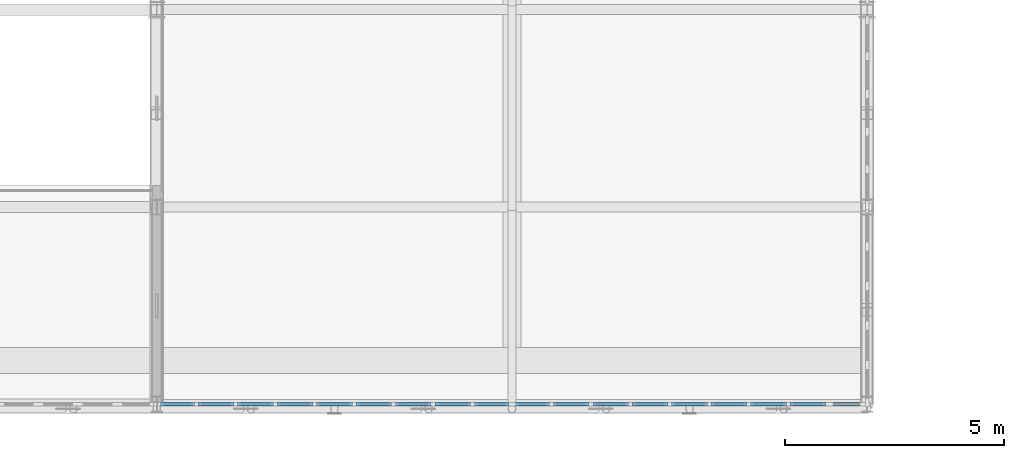
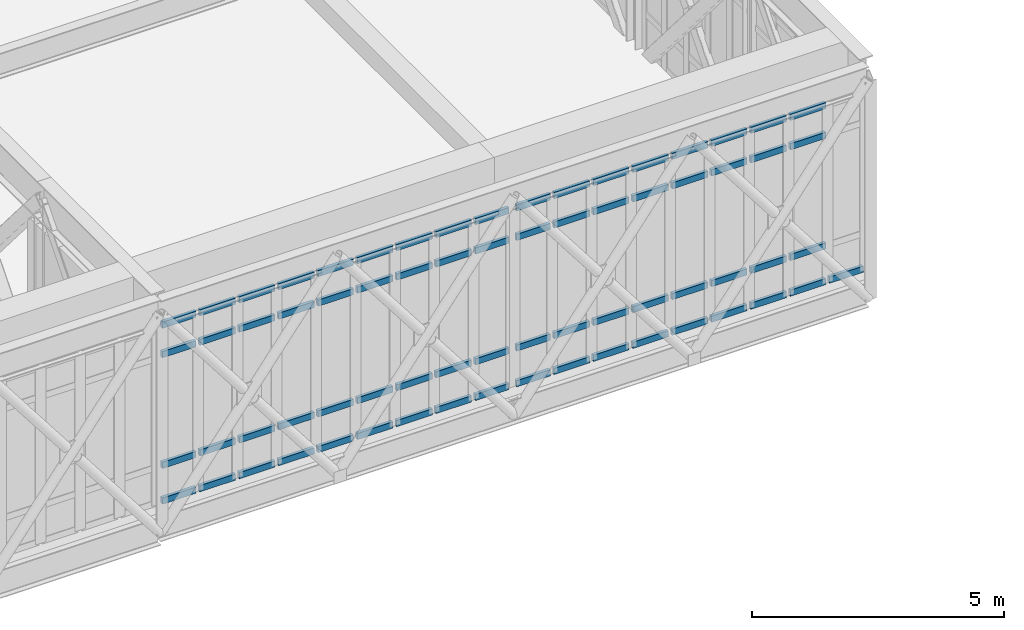
# One storey, part 32 of 70: 69 members, 2 elements without a shape of their own.
"""IFC4 building model written with IfcOpenShell, lengths in metres."""

from ifc_helpers import new_model, si_unit, direction, frame, origin, origin_2d, place, context, subcontext, project, spatial, rectangle, extrude, material, material_profile, profile_set, type_object, element, aggregate, save


model = new_model("IFC4")

# Units and contexts
model_context = context("Model", 3, precision=1e-05, world=origin(), true_north=direction((0.0, 1.0)))
body_context = subcontext(model_context, "Body", "Model", "MODEL_VIEW")
ifc_project = project(units=[si_unit("LENGTHUNIT", "METRE"), si_unit("AREAUNIT", "SQUARE_METRE"), si_unit("VOLUMEUNIT", "CUBIC_METRE"), si_unit("PLANEANGLEUNIT", "RADIAN"), si_unit("MASSUNIT", "GRAM", prefix="KILO")], contexts=[model_context])

# Site, building, storey
site_placement = place(None, origin())
site = spatial("IfcSite", under=ifc_project, at=site_placement, CompositionType="ELEMENT")
building_placement = place(site_placement, origin())
building = spatial("IfcBuilding", under=site, at=building_placement, Name="Tarnveldt Square Police Headquarters", CompositionType="ELEMENT")
storey_placement = place(building_placement, frame((0.0, 0.0, 19.800048828125)))
storey = spatial("IfcBuildingStorey", under=building, at=storey_placement, Name="L04", CompositionType="ELEMENT", Elevation=19.800048828125)

# Curtain wall, members
ifc_material_1 = material(Name="UL 752 Level III laminated ballistic vision glass", Category="glass")
curtain_wall_type = type_object("IfcCurtainWallType", Name="CW-BL-810x433", PredefinedType="USERDEFINED", material=ifc_material_1)
curtain_wall_1_placement = place(storey_placement, origin())
curtain_wall_1 = element("IfcCurtainWall", 1, at=curtain_wall_1_placement, inside=storey, type_object=curtain_wall_type, Name="L04 Curtain Wall CW-L04-045", ObjectType="BALLISTIC CURTAIN WALL", PredefinedType="USERDEFINED")
ifc_material_2 = material(Name="Thermally broken anodised aluminium 6063-T6", Category="aluminium")
ifc_material_profile = material_profile(ifc_material_2, rectangle(XDim=0.074951171875, YDim=0.14990234375, at=origin_2d()), Name="CW-T75x150")
ifc_profile_set = profile_set([ifc_material_profile], Name="Thermally broken anodised aluminium 6063-T6")
member_type = type_object("IfcMemberType", Name="CWT-75x150", PredefinedType="USERDEFINED", material=ifc_profile_set)
member_1_placement = place(storey_placement, frame((48.68505859375, 7.0, 0.037353515625), z_axis=(1.0, 0.0, 0.0), x_axis=(0.0, 1.0, 0.0)))
member_1 = element("IfcMember", 2, at=member_1_placement, type_object=member_type, Name="CW-BL17 transom 1.1", ObjectType="TRANSOM", PredefinedType="USERDEFINED", context=body_context, shape_type="SweptSolid", body=[
    extrude(rectangle(XDim=0.074951171875, YDim=0.14990234375, at=origin_2d()), origin(), (0.0, 0.0, 1.0), 0.7724609375),
])
member_2_placement = place(storey_placement, frame((48.68505859375, 7.0, 0.89990234375), z_axis=(1.0, 0.0, 0.0), x_axis=(0.0, 1.0, 0.0)))
member_2 = element("IfcMember", 3, at=member_2_placement, type_object=member_type, Name="CW-BL17 transom 1.2", ObjectType="TRANSOM", PredefinedType="USERDEFINED", context=body_context, shape_type="SweptSolid", body=[
    extrude(rectangle(XDim=0.074951171875, YDim=0.14990234375, at=origin_2d()), origin(), (0.0, 0.0, 1.0), 0.7724609375),
])
member_3_placement = place(storey_placement, frame((48.68505859375, 7.0, 3.576416015625), z_axis=(1.0, 0.0, 0.0), x_axis=(0.0, 1.0, 0.0)))
member_3 = element("IfcMember", 4, at=member_3_placement, type_object=member_type, Name="CW-BL17 transom 1.3", ObjectType="TRANSOM", PredefinedType="USERDEFINED", context=body_context, shape_type="SweptSolid", body=[
    extrude(rectangle(XDim=0.074951171875, YDim=0.14990234375, at=origin_2d()), origin(), (0.0, 0.0, 1.0), 0.7724609375),
])
member_4_placement = place(storey_placement, frame((48.68505859375, 7.0, 4.2890625), z_axis=(1.0, 0.0, 0.0), x_axis=(0.0, 1.0, 0.0)))
member_4 = element("IfcMember", 5, at=member_4_placement, type_object=member_type, Name="CW-BL17 transom 1.4", ObjectType="TRANSOM", PredefinedType="USERDEFINED", context=body_context, shape_type="SweptSolid", body=[
    extrude(rectangle(XDim=0.074951171875, YDim=0.14990234375, at=origin_2d()), origin(), (0.0, 0.0, 1.0), 0.7724609375),
])
member_5_placement = place(storey_placement, frame((49.54248046875, 7.0, 0.037353515625), z_axis=(1.0, 0.0, 0.0), x_axis=(0.0, 1.0, 0.0)))
member_5 = element("IfcMember", 6, at=member_5_placement, type_object=member_type, Name="CW-BL17 transom 2.1", ObjectType="TRANSOM", PredefinedType="USERDEFINED", context=body_context, shape_type="SweptSolid", body=[
    extrude(rectangle(XDim=0.074951171875, YDim=0.14990234375, at=origin_2d()), origin(), (0.0, 0.0, 1.0), 0.81494140625),
])
member_6_placement = place(storey_placement, frame((49.54248046875, 7.0, 0.89990234375), z_axis=(1.0, 0.0, 0.0), x_axis=(0.0, 1.0, 0.0)))
member_6 = element("IfcMember", 7, at=member_6_placement, type_object=member_type, Name="CW-BL17 transom 2.2", ObjectType="TRANSOM", PredefinedType="USERDEFINED", context=body_context, shape_type="SweptSolid", body=[
    extrude(rectangle(XDim=0.074951171875, YDim=0.14990234375, at=origin_2d()), origin(), (0.0, 0.0, 1.0), 0.81494140625),
])
member_7_placement = place(storey_placement, frame((49.54248046875, 7.0, 3.576416015625), z_axis=(1.0, 0.0, 0.0), x_axis=(0.0, 1.0, 0.0)))
member_7 = element("IfcMember", 8, at=member_7_placement, type_object=member_type, Name="CW-BL17 transom 2.3", ObjectType="TRANSOM", PredefinedType="USERDEFINED", context=body_context, shape_type="SweptSolid", body=[
    extrude(rectangle(XDim=0.074951171875, YDim=0.14990234375, at=origin_2d()), origin(), (0.0, 0.0, 1.0), 0.81494140625),
])
member_8_placement = place(storey_placement, frame((49.54248046875, 7.0, 4.2890625), z_axis=(1.0, 0.0, 0.0), x_axis=(0.0, 1.0, 0.0)))
member_8 = element("IfcMember", 9, at=member_8_placement, type_object=member_type, Name="CW-BL17 transom 2.4", ObjectType="TRANSOM", PredefinedType="USERDEFINED", context=body_context, shape_type="SweptSolid", body=[
    extrude(rectangle(XDim=0.074951171875, YDim=0.14990234375, at=origin_2d()), origin(), (0.0, 0.0, 1.0), 0.81494140625),
])
member_9_placement = place(storey_placement, frame((50.4423828125, 7.0, 0.037353515625), z_axis=(1.0, 0.0, 0.0), x_axis=(0.0, 1.0, 0.0)))
member_9 = element("IfcMember", 10, at=member_9_placement, type_object=member_type, Name="CW-BL17 transom 3.1", ObjectType="TRANSOM", PredefinedType="USERDEFINED", context=body_context, shape_type="SweptSolid", body=[
    extrude(rectangle(XDim=0.074951171875, YDim=0.14990234375, at=origin_2d()), origin(), (0.0, 0.0, 1.0), 0.815185546875),
])
member_10_placement = place(storey_placement, frame((50.4423828125, 7.0, 0.89990234375), z_axis=(1.0, 0.0, 0.0), x_axis=(0.0, 1.0, 0.0)))
member_10 = element("IfcMember", 11, at=member_10_placement, type_object=member_type, Name="CW-BL17 transom 3.2", ObjectType="TRANSOM", PredefinedType="USERDEFINED", context=body_context, shape_type="SweptSolid", body=[
    extrude(rectangle(XDim=0.074951171875, YDim=0.14990234375, at=origin_2d()), origin(), (0.0, 0.0, 1.0), 0.815185546875),
])
member_11_placement = place(storey_placement, frame((50.4423828125, 7.0, 3.576416015625), z_axis=(1.0, 0.0, 0.0), x_axis=(0.0, 1.0, 0.0)))
member_11 = element("IfcMember", 12, at=member_11_placement, type_object=member_type, Name="CW-BL17 transom 3.3", ObjectType="TRANSOM", PredefinedType="USERDEFINED", context=body_context, shape_type="SweptSolid", body=[
    extrude(rectangle(XDim=0.074951171875, YDim=0.14990234375, at=origin_2d()), origin(), (0.0, 0.0, 1.0), 0.815185546875),
])
member_12_placement = place(storey_placement, frame((50.4423828125, 7.0, 4.2890625), z_axis=(1.0, 0.0, 0.0), x_axis=(0.0, 1.0, 0.0)))
member_12 = element("IfcMember", 13, at=member_12_placement, type_object=member_type, Name="CW-BL17 transom 3.4", ObjectType="TRANSOM", PredefinedType="USERDEFINED", context=body_context, shape_type="SweptSolid", body=[
    extrude(rectangle(XDim=0.074951171875, YDim=0.14990234375, at=origin_2d()), origin(), (0.0, 0.0, 1.0), 0.815185546875),
])
member_13_placement = place(storey_placement, frame((51.342529296875, 7.0, 0.037353515625), z_axis=(1.0, 0.0, 0.0), x_axis=(0.0, 1.0, 0.0)))
member_13 = element("IfcMember", 14, at=member_13_placement, type_object=member_type, Name="CW-BL17 transom 4.1", ObjectType="TRANSOM", PredefinedType="USERDEFINED", context=body_context, shape_type="SweptSolid", body=[
    extrude(rectangle(XDim=0.074951171875, YDim=0.14990234375, at=origin_2d()), origin(), (0.0, 0.0, 1.0), 0.81494140625),
])
member_14_placement = place(storey_placement, frame((51.342529296875, 7.0, 0.89990234375), z_axis=(1.0, 0.0, 0.0), x_axis=(0.0, 1.0, 0.0)))
member_14 = element("IfcMember", 15, at=member_14_placement, type_object=member_type, Name="CW-BL17 transom 4.2", ObjectType="TRANSOM", PredefinedType="USERDEFINED", context=body_context, shape_type="SweptSolid", body=[
    extrude(rectangle(XDim=0.074951171875, YDim=0.14990234375, at=origin_2d()), origin(), (0.0, 0.0, 1.0), 0.81494140625),
])
member_15_placement = place(storey_placement, frame((51.342529296875, 7.0, 3.576416015625), z_axis=(1.0, 0.0, 0.0), x_axis=(0.0, 1.0, 0.0)))
member_15 = element("IfcMember", 16, at=member_15_placement, type_object=member_type, Name="CW-BL17 transom 4.3", ObjectType="TRANSOM", PredefinedType="USERDEFINED", context=body_context, shape_type="SweptSolid", body=[
    extrude(rectangle(XDim=0.074951171875, YDim=0.14990234375, at=origin_2d()), origin(), (0.0, 0.0, 1.0), 0.81494140625),
])
member_16_placement = place(storey_placement, frame((51.342529296875, 7.0, 4.2890625), z_axis=(1.0, 0.0, 0.0), x_axis=(0.0, 1.0, 0.0)))
member_16 = element("IfcMember", 17, at=member_16_placement, type_object=member_type, Name="CW-BL17 transom 4.4", ObjectType="TRANSOM", PredefinedType="USERDEFINED", context=body_context, shape_type="SweptSolid", body=[
    extrude(rectangle(XDim=0.074951171875, YDim=0.14990234375, at=origin_2d()), origin(), (0.0, 0.0, 1.0), 0.81494140625),
])
member_17_placement = place(storey_placement, frame((52.242431640625, 7.0, 0.037353515625), z_axis=(1.0, 0.0, 0.0), x_axis=(0.0, 1.0, 0.0)))
member_17 = element("IfcMember", 18, at=member_17_placement, type_object=member_type, Name="CW-BL17 transom 5.1", ObjectType="TRANSOM", PredefinedType="USERDEFINED", context=body_context, shape_type="SweptSolid", body=[
    extrude(rectangle(XDim=0.074951171875, YDim=0.14990234375, at=origin_2d()), origin(), (0.0, 0.0, 1.0), 0.815185546875),
])
member_18_placement = place(storey_placement, frame((52.242431640625, 7.0, 0.89990234375), z_axis=(1.0, 0.0, 0.0), x_axis=(0.0, 1.0, 0.0)))
member_18 = element("IfcMember", 19, at=member_18_placement, type_object=member_type, Name="CW-BL17 transom 5.2", ObjectType="TRANSOM", PredefinedType="USERDEFINED", context=body_context, shape_type="SweptSolid", body=[
    extrude(rectangle(XDim=0.074951171875, YDim=0.14990234375, at=origin_2d()), origin(), (0.0, 0.0, 1.0), 0.815185546875),
])
member_19_placement = place(storey_placement, frame((52.242431640625, 7.0, 3.576416015625), z_axis=(1.0, 0.0, 0.0), x_axis=(0.0, 1.0, 0.0)))
member_19 = element("IfcMember", 20, at=member_19_placement, type_object=member_type, Name="CW-BL17 transom 5.3", ObjectType="TRANSOM", PredefinedType="USERDEFINED", context=body_context, shape_type="SweptSolid", body=[
    extrude(rectangle(XDim=0.074951171875, YDim=0.14990234375, at=origin_2d()), origin(), (0.0, 0.0, 1.0), 0.815185546875),
])
member_20_placement = place(storey_placement, frame((52.242431640625, 7.0, 4.2890625), z_axis=(1.0, 0.0, 0.0), x_axis=(0.0, 1.0, 0.0)))
member_20 = element("IfcMember", 21, at=member_20_placement, type_object=member_type, Name="CW-BL17 transom 5.4", ObjectType="TRANSOM", PredefinedType="USERDEFINED", context=body_context, shape_type="SweptSolid", body=[
    extrude(rectangle(XDim=0.074951171875, YDim=0.14990234375, at=origin_2d()), origin(), (0.0, 0.0, 1.0), 0.815185546875),
])
member_21_placement = place(storey_placement, frame((53.142578125, 7.0, 0.037353515625), z_axis=(1.0, 0.0, 0.0), x_axis=(0.0, 1.0, 0.0)))
member_21 = element("IfcMember", 22, at=member_21_placement, type_object=member_type, Name="CW-BL17 transom 6.1", ObjectType="TRANSOM", PredefinedType="USERDEFINED", context=body_context, shape_type="SweptSolid", body=[
    extrude(rectangle(XDim=0.074951171875, YDim=0.14990234375, at=origin_2d()), origin(), (0.0, 0.0, 1.0), 0.81494140625),
])
member_22_placement = place(storey_placement, frame((53.142578125, 7.0, 0.89990234375), z_axis=(1.0, 0.0, 0.0), x_axis=(0.0, 1.0, 0.0)))
member_22 = element("IfcMember", 23, at=member_22_placement, type_object=member_type, Name="CW-BL17 transom 6.2", ObjectType="TRANSOM", PredefinedType="USERDEFINED", context=body_context, shape_type="SweptSolid", body=[
    extrude(rectangle(XDim=0.074951171875, YDim=0.14990234375, at=origin_2d()), origin(), (0.0, 0.0, 1.0), 0.81494140625),
])
member_23_placement = place(storey_placement, frame((53.142578125, 7.0, 3.576416015625), z_axis=(1.0, 0.0, 0.0), x_axis=(0.0, 1.0, 0.0)))
member_23 = element("IfcMember", 24, at=member_23_placement, type_object=member_type, Name="CW-BL17 transom 6.3", ObjectType="TRANSOM", PredefinedType="USERDEFINED", context=body_context, shape_type="SweptSolid", body=[
    extrude(rectangle(XDim=0.074951171875, YDim=0.14990234375, at=origin_2d()), origin(), (0.0, 0.0, 1.0), 0.81494140625),
])
member_24_placement = place(storey_placement, frame((53.142578125, 7.0, 4.2890625), z_axis=(1.0, 0.0, 0.0), x_axis=(0.0, 1.0, 0.0)))
member_24 = element("IfcMember", 25, at=member_24_placement, type_object=member_type, Name="CW-BL17 transom 6.4", ObjectType="TRANSOM", PredefinedType="USERDEFINED", context=body_context, shape_type="SweptSolid", body=[
    extrude(rectangle(XDim=0.074951171875, YDim=0.14990234375, at=origin_2d()), origin(), (0.0, 0.0, 1.0), 0.81494140625),
])
member_25_placement = place(storey_placement, frame((54.04248046875, 7.0, 0.037353515625), z_axis=(1.0, 0.0, 0.0), x_axis=(0.0, 1.0, 0.0)))
member_25 = element("IfcMember", 26, at=member_25_placement, type_object=member_type, Name="CW-BL17 transom 7.1", ObjectType="TRANSOM", PredefinedType="USERDEFINED", context=body_context, shape_type="SweptSolid", body=[
    extrude(rectangle(XDim=0.074951171875, YDim=0.14990234375, at=origin_2d()), origin(), (0.0, 0.0, 1.0), 0.81494140625),
])
member_26_placement = place(storey_placement, frame((54.04248046875, 7.0, 0.89990234375), z_axis=(1.0, 0.0, 0.0), x_axis=(0.0, 1.0, 0.0)))
member_26 = element("IfcMember", 27, at=member_26_placement, type_object=member_type, Name="CW-BL17 transom 7.2", ObjectType="TRANSOM", PredefinedType="USERDEFINED", context=body_context, shape_type="SweptSolid", body=[
    extrude(rectangle(XDim=0.074951171875, YDim=0.14990234375, at=origin_2d()), origin(), (0.0, 0.0, 1.0), 0.81494140625),
])
member_27_placement = place(storey_placement, frame((54.04248046875, 7.0, 3.576416015625), z_axis=(1.0, 0.0, 0.0), x_axis=(0.0, 1.0, 0.0)))
member_27 = element("IfcMember", 28, at=member_27_placement, type_object=member_type, Name="CW-BL17 transom 7.3", ObjectType="TRANSOM", PredefinedType="USERDEFINED", context=body_context, shape_type="SweptSolid", body=[
    extrude(rectangle(XDim=0.074951171875, YDim=0.14990234375, at=origin_2d()), origin(), (0.0, 0.0, 1.0), 0.81494140625),
])
member_28_placement = place(storey_placement, frame((54.04248046875, 7.0, 4.2890625), z_axis=(1.0, 0.0, 0.0), x_axis=(0.0, 1.0, 0.0)))
member_28 = element("IfcMember", 29, at=member_28_placement, type_object=member_type, Name="CW-BL17 transom 7.4", ObjectType="TRANSOM", PredefinedType="USERDEFINED", context=body_context, shape_type="SweptSolid", body=[
    extrude(rectangle(XDim=0.074951171875, YDim=0.14990234375, at=origin_2d()), origin(), (0.0, 0.0, 1.0), 0.81494140625),
])
member_29_placement = place(storey_placement, frame((54.9423828125, 7.0, 0.037353515625), z_axis=(1.0, 0.0, 0.0), x_axis=(0.0, 1.0, 0.0)))
member_29 = element("IfcMember", 30, at=member_29_placement, type_object=member_type, Name="CW-BL17 transom 8.1", ObjectType="TRANSOM", PredefinedType="USERDEFINED", context=body_context, shape_type="SweptSolid", body=[
    extrude(rectangle(XDim=0.074951171875, YDim=0.14990234375, at=origin_2d()), origin(), (0.0, 0.0, 1.0), 0.815185546875),
])
member_30_placement = place(storey_placement, frame((54.9423828125, 7.0, 0.89990234375), z_axis=(1.0, 0.0, 0.0), x_axis=(0.0, 1.0, 0.0)))
member_30 = element("IfcMember", 31, at=member_30_placement, type_object=member_type, Name="CW-BL17 transom 8.2", ObjectType="TRANSOM", PredefinedType="USERDEFINED", context=body_context, shape_type="SweptSolid", body=[
    extrude(rectangle(XDim=0.074951171875, YDim=0.14990234375, at=origin_2d()), origin(), (0.0, 0.0, 1.0), 0.815185546875),
])
member_31_placement = place(storey_placement, frame((54.9423828125, 7.0, 3.576416015625), z_axis=(1.0, 0.0, 0.0), x_axis=(0.0, 1.0, 0.0)))
member_31 = element("IfcMember", 32, at=member_31_placement, type_object=member_type, Name="CW-BL17 transom 8.3", ObjectType="TRANSOM", PredefinedType="USERDEFINED", context=body_context, shape_type="SweptSolid", body=[
    extrude(rectangle(XDim=0.074951171875, YDim=0.14990234375, at=origin_2d()), origin(), (0.0, 0.0, 1.0), 0.815185546875),
])
member_32_placement = place(storey_placement, frame((54.9423828125, 7.0, 4.2890625), z_axis=(1.0, 0.0, 0.0), x_axis=(0.0, 1.0, 0.0)))
member_32 = element("IfcMember", 33, at=member_32_placement, type_object=member_type, Name="CW-BL17 transom 8.4", ObjectType="TRANSOM", PredefinedType="USERDEFINED", context=body_context, shape_type="SweptSolid", body=[
    extrude(rectangle(XDim=0.074951171875, YDim=0.14990234375, at=origin_2d()), origin(), (0.0, 0.0, 1.0), 0.815185546875),
])
member_33_placement = place(storey_placement, frame((55.842529296875, 7.0, 0.037353515625), z_axis=(1.0, 0.0, 0.0), x_axis=(0.0, 1.0, 0.0)))
member_33 = element("IfcMember", 34, at=member_33_placement, type_object=member_type, Name="CW-BL17 transom 9.1", ObjectType="TRANSOM", PredefinedType="USERDEFINED", context=body_context, shape_type="SweptSolid", body=[
    extrude(rectangle(XDim=0.074951171875, YDim=0.14990234375, at=origin_2d()), origin(), (0.0, 0.0, 1.0), 0.7724609375),
])
member_34_placement = place(storey_placement, frame((55.842529296875, 7.0, 0.89990234375), z_axis=(1.0, 0.0, 0.0), x_axis=(0.0, 1.0, 0.0)))
member_34 = element("IfcMember", 35, at=member_34_placement, type_object=member_type, Name="CW-BL17 transom 9.2", ObjectType="TRANSOM", PredefinedType="USERDEFINED", context=body_context, shape_type="SweptSolid", body=[
    extrude(rectangle(XDim=0.074951171875, YDim=0.14990234375, at=origin_2d()), origin(), (0.0, 0.0, 1.0), 0.7724609375),
])
member_35_placement = place(storey_placement, frame((55.842529296875, 7.0, 3.576416015625), z_axis=(1.0, 0.0, 0.0), x_axis=(0.0, 1.0, 0.0)))
member_35 = element("IfcMember", 36, at=member_35_placement, type_object=member_type, Name="CW-BL17 transom 9.3", ObjectType="TRANSOM", PredefinedType="USERDEFINED", context=body_context, shape_type="SweptSolid", body=[
    extrude(rectangle(XDim=0.074951171875, YDim=0.14990234375, at=origin_2d()), origin(), (0.0, 0.0, 1.0), 0.7724609375),
])
member_36_placement = place(storey_placement, frame((55.842529296875, 7.0, 4.2890625), z_axis=(1.0, 0.0, 0.0), x_axis=(0.0, 1.0, 0.0)))
member_36 = element("IfcMember", 37, at=member_36_placement, type_object=member_type, Name="CW-BL17 transom 9.4", ObjectType="TRANSOM", PredefinedType="USERDEFINED", context=body_context, shape_type="SweptSolid", body=[
    extrude(rectangle(XDim=0.074951171875, YDim=0.14990234375, at=origin_2d()), origin(), (0.0, 0.0, 1.0), 0.7724609375),
])
aggregate(curtain_wall_1, [member_1, member_2, member_3, member_4, member_5, member_6, member_7, member_8, member_9, member_10, member_11, member_12, member_13, member_14, member_15, member_16, member_17, member_18, member_19, member_20, member_21, member_22, member_23, member_24, member_25, member_26, member_27, member_28, member_29, member_30, member_31, member_32, member_33, member_34, member_35, member_36])

curtain_wall_2_placement = place(storey_placement, origin())
curtain_wall_2 = element("IfcCurtainWall", 38, at=curtain_wall_2_placement, inside=storey, type_object=curtain_wall_type, Name="L04 Curtain Wall CW-L04-046", ObjectType="BALLISTIC CURTAIN WALL", PredefinedType="USERDEFINED")
member_37_placement = place(storey_placement, frame((56.784912109375, 7.0, 0.037353515625), z_axis=(1.0, 0.0, 0.0), x_axis=(0.0, 1.0, 0.0)))
member_37 = element("IfcMember", 39, at=member_37_placement, type_object=member_type, Name="CW-BL17 transom 1.1", ObjectType="TRANSOM", PredefinedType="USERDEFINED", context=body_context, shape_type="SweptSolid", body=[
    extrude(rectangle(XDim=0.074951171875, YDim=0.14990234375, at=origin_2d()), origin(), (0.0, 0.0, 1.0), 0.772705078125),
])
member_38_placement = place(storey_placement, frame((56.784912109375, 7.0, 0.89990234375), z_axis=(1.0, 0.0, 0.0), x_axis=(0.0, 1.0, 0.0)))
member_38 = element("IfcMember", 40, at=member_38_placement, type_object=member_type, Name="CW-BL17 transom 1.2", ObjectType="TRANSOM", PredefinedType="USERDEFINED", context=body_context, shape_type="SweptSolid", body=[
    extrude(rectangle(XDim=0.074951171875, YDim=0.14990234375, at=origin_2d()), origin(), (0.0, 0.0, 1.0), 0.772705078125),
])
member_39_placement = place(storey_placement, frame((56.784912109375, 7.0, 3.576416015625), z_axis=(1.0, 0.0, 0.0), x_axis=(0.0, 1.0, 0.0)))
member_39 = element("IfcMember", 41, at=member_39_placement, type_object=member_type, Name="CW-BL17 transom 1.3", ObjectType="TRANSOM", PredefinedType="USERDEFINED", context=body_context, shape_type="SweptSolid", body=[
    extrude(rectangle(XDim=0.074951171875, YDim=0.14990234375, at=origin_2d()), origin(), (0.0, 0.0, 1.0), 0.772705078125),
])
member_40_placement = place(storey_placement, frame((56.784912109375, 7.0, 4.2890625), z_axis=(1.0, 0.0, 0.0), x_axis=(0.0, 1.0, 0.0)))
member_40 = element("IfcMember", 42, at=member_40_placement, type_object=member_type, Name="CW-BL17 transom 1.4", ObjectType="TRANSOM", PredefinedType="USERDEFINED", context=body_context, shape_type="SweptSolid", body=[
    extrude(rectangle(XDim=0.074951171875, YDim=0.14990234375, at=origin_2d()), origin(), (0.0, 0.0, 1.0), 0.772705078125),
])
member_41_placement = place(storey_placement, frame((57.642578125, 7.0, 0.037353515625), z_axis=(1.0, 0.0, 0.0), x_axis=(0.0, 1.0, 0.0)))
member_41 = element("IfcMember", 43, at=member_41_placement, type_object=member_type, Name="CW-BL17 transom 2.1", ObjectType="TRANSOM", PredefinedType="USERDEFINED", context=body_context, shape_type="SweptSolid", body=[
    extrude(rectangle(XDim=0.074951171875, YDim=0.14990234375, at=origin_2d()), origin(), (0.0, 0.0, 1.0), 0.81494140625),
])
member_42_placement = place(storey_placement, frame((57.642578125, 7.0, 0.89990234375), z_axis=(1.0, 0.0, 0.0), x_axis=(0.0, 1.0, 0.0)))
member_42 = element("IfcMember", 44, at=member_42_placement, type_object=member_type, Name="CW-BL17 transom 2.2", ObjectType="TRANSOM", PredefinedType="USERDEFINED", context=body_context, shape_type="SweptSolid", body=[
    extrude(rectangle(XDim=0.074951171875, YDim=0.14990234375, at=origin_2d()), origin(), (0.0, 0.0, 1.0), 0.81494140625),
])
member_43_placement = place(storey_placement, frame((57.642578125, 7.0, 3.576416015625), z_axis=(1.0, 0.0, 0.0), x_axis=(0.0, 1.0, 0.0)))
member_43 = element("IfcMember", 45, at=member_43_placement, type_object=member_type, Name="CW-BL17 transom 2.3", ObjectType="TRANSOM", PredefinedType="USERDEFINED", context=body_context, shape_type="SweptSolid", body=[
    extrude(rectangle(XDim=0.074951171875, YDim=0.14990234375, at=origin_2d()), origin(), (0.0, 0.0, 1.0), 0.81494140625),
])
member_44_placement = place(storey_placement, frame((57.642578125, 7.0, 4.2890625), z_axis=(1.0, 0.0, 0.0), x_axis=(0.0, 1.0, 0.0)))
member_44 = element("IfcMember", 46, at=member_44_placement, type_object=member_type, Name="CW-BL17 transom 2.4", ObjectType="TRANSOM", PredefinedType="USERDEFINED", context=body_context, shape_type="SweptSolid", body=[
    extrude(rectangle(XDim=0.074951171875, YDim=0.14990234375, at=origin_2d()), origin(), (0.0, 0.0, 1.0), 0.81494140625),
])
member_45_placement = place(storey_placement, frame((58.54248046875, 7.0, 0.037353515625), z_axis=(1.0, 0.0, 0.0), x_axis=(0.0, 1.0, 0.0)))
member_45 = element("IfcMember", 47, at=member_45_placement, type_object=member_type, Name="CW-BL17 transom 3.1", ObjectType="TRANSOM", PredefinedType="USERDEFINED", context=body_context, shape_type="SweptSolid", body=[
    extrude(rectangle(XDim=0.074951171875, YDim=0.14990234375, at=origin_2d()), origin(), (0.0, 0.0, 1.0), 0.81494140625),
])
member_46_placement = place(storey_placement, frame((58.54248046875, 7.0, 0.89990234375), z_axis=(1.0, 0.0, 0.0), x_axis=(0.0, 1.0, 0.0)))
member_46 = element("IfcMember", 48, at=member_46_placement, type_object=member_type, Name="CW-BL17 transom 3.2", ObjectType="TRANSOM", PredefinedType="USERDEFINED", context=body_context, shape_type="SweptSolid", body=[
    extrude(rectangle(XDim=0.074951171875, YDim=0.14990234375, at=origin_2d()), origin(), (0.0, 0.0, 1.0), 0.81494140625),
])
member_47_placement = place(storey_placement, frame((58.54248046875, 7.0, 3.576416015625), z_axis=(1.0, 0.0, 0.0), x_axis=(0.0, 1.0, 0.0)))
member_47 = element("IfcMember", 49, at=member_47_placement, type_object=member_type, Name="CW-BL17 transom 3.3", ObjectType="TRANSOM", PredefinedType="USERDEFINED", context=body_context, shape_type="SweptSolid", body=[
    extrude(rectangle(XDim=0.074951171875, YDim=0.14990234375, at=origin_2d()), origin(), (0.0, 0.0, 1.0), 0.81494140625),
])
member_48_placement = place(storey_placement, frame((58.54248046875, 7.0, 4.2890625), z_axis=(1.0, 0.0, 0.0), x_axis=(0.0, 1.0, 0.0)))
member_48 = element("IfcMember", 50, at=member_48_placement, type_object=member_type, Name="CW-BL17 transom 3.4", ObjectType="TRANSOM", PredefinedType="USERDEFINED", context=body_context, shape_type="SweptSolid", body=[
    extrude(rectangle(XDim=0.074951171875, YDim=0.14990234375, at=origin_2d()), origin(), (0.0, 0.0, 1.0), 0.81494140625),
])
member_49_placement = place(storey_placement, frame((59.4423828125, 7.0, 0.037353515625), z_axis=(1.0, 0.0, 0.0), x_axis=(0.0, 1.0, 0.0)))
member_49 = element("IfcMember", 51, at=member_49_placement, type_object=member_type, Name="CW-BL17 transom 4.1", ObjectType="TRANSOM", PredefinedType="USERDEFINED", context=body_context, shape_type="SweptSolid", body=[
    extrude(rectangle(XDim=0.074951171875, YDim=0.14990234375, at=origin_2d()), origin(), (0.0, 0.0, 1.0), 0.815185546875),
])
member_50_placement = place(storey_placement, frame((59.4423828125, 7.0, 0.89990234375), z_axis=(1.0, 0.0, 0.0), x_axis=(0.0, 1.0, 0.0)))
member_50 = element("IfcMember", 52, at=member_50_placement, type_object=member_type, Name="CW-BL17 transom 4.2", ObjectType="TRANSOM", PredefinedType="USERDEFINED", context=body_context, shape_type="SweptSolid", body=[
    extrude(rectangle(XDim=0.074951171875, YDim=0.14990234375, at=origin_2d()), origin(), (0.0, 0.0, 1.0), 0.815185546875),
])
member_51_placement = place(storey_placement, frame((59.4423828125, 7.0, 3.576416015625), z_axis=(1.0, 0.0, 0.0), x_axis=(0.0, 1.0, 0.0)))
member_51 = element("IfcMember", 53, at=member_51_placement, type_object=member_type, Name="CW-BL17 transom 4.3", ObjectType="TRANSOM", PredefinedType="USERDEFINED", context=body_context, shape_type="SweptSolid", body=[
    extrude(rectangle(XDim=0.074951171875, YDim=0.14990234375, at=origin_2d()), origin(), (0.0, 0.0, 1.0), 0.815185546875),
])
member_52_placement = place(storey_placement, frame((59.4423828125, 7.0, 4.2890625), z_axis=(1.0, 0.0, 0.0), x_axis=(0.0, 1.0, 0.0)))
member_52 = element("IfcMember", 54, at=member_52_placement, type_object=member_type, Name="CW-BL17 transom 4.4", ObjectType="TRANSOM", PredefinedType="USERDEFINED", context=body_context, shape_type="SweptSolid", body=[
    extrude(rectangle(XDim=0.074951171875, YDim=0.14990234375, at=origin_2d()), origin(), (0.0, 0.0, 1.0), 0.815185546875),
])
member_53_placement = place(storey_placement, frame((60.342529296875, 7.0, 0.037353515625), z_axis=(1.0, 0.0, 0.0), x_axis=(0.0, 1.0, 0.0)))
member_53 = element("IfcMember", 55, at=member_53_placement, type_object=member_type, Name="CW-BL17 transom 5.1", ObjectType="TRANSOM", PredefinedType="USERDEFINED", context=body_context, shape_type="SweptSolid", body=[
    extrude(rectangle(XDim=0.074951171875, YDim=0.14990234375, at=origin_2d()), origin(), (0.0, 0.0, 1.0), 0.81494140625),
])
member_54_placement = place(storey_placement, frame((60.342529296875, 7.0, 0.89990234375), z_axis=(1.0, 0.0, 0.0), x_axis=(0.0, 1.0, 0.0)))
member_54 = element("IfcMember", 56, at=member_54_placement, type_object=member_type, Name="CW-BL17 transom 5.2", ObjectType="TRANSOM", PredefinedType="USERDEFINED", context=body_context, shape_type="SweptSolid", body=[
    extrude(rectangle(XDim=0.074951171875, YDim=0.14990234375, at=origin_2d()), origin(), (0.0, 0.0, 1.0), 0.81494140625),
])
member_55_placement = place(storey_placement, frame((60.342529296875, 7.0, 3.576416015625), z_axis=(1.0, 0.0, 0.0), x_axis=(0.0, 1.0, 0.0)))
member_55 = element("IfcMember", 57, at=member_55_placement, type_object=member_type, Name="CW-BL17 transom 5.3", ObjectType="TRANSOM", PredefinedType="USERDEFINED", context=body_context, shape_type="SweptSolid", body=[
    extrude(rectangle(XDim=0.074951171875, YDim=0.14990234375, at=origin_2d()), origin(), (0.0, 0.0, 1.0), 0.81494140625),
])
member_56_placement = place(storey_placement, frame((60.342529296875, 7.0, 4.2890625), z_axis=(1.0, 0.0, 0.0), x_axis=(0.0, 1.0, 0.0)))
member_56 = element("IfcMember", 58, at=member_56_placement, type_object=member_type, Name="CW-BL17 transom 5.4", ObjectType="TRANSOM", PredefinedType="USERDEFINED", context=body_context, shape_type="SweptSolid", body=[
    extrude(rectangle(XDim=0.074951171875, YDim=0.14990234375, at=origin_2d()), origin(), (0.0, 0.0, 1.0), 0.81494140625),
])
member_57_placement = place(storey_placement, frame((61.242431640625, 7.0, 0.037353515625), z_axis=(1.0, 0.0, 0.0), x_axis=(0.0, 1.0, 0.0)))
member_57 = element("IfcMember", 59, at=member_57_placement, type_object=member_type, Name="CW-BL17 transom 6.1", ObjectType="TRANSOM", PredefinedType="USERDEFINED", context=body_context, shape_type="SweptSolid", body=[
    extrude(rectangle(XDim=0.074951171875, YDim=0.14990234375, at=origin_2d()), origin(), (0.0, 0.0, 1.0), 0.815185546875),
])
member_58_placement = place(storey_placement, frame((61.242431640625, 7.0, 0.89990234375), z_axis=(1.0, 0.0, 0.0), x_axis=(0.0, 1.0, 0.0)))
member_58 = element("IfcMember", 60, at=member_58_placement, type_object=member_type, Name="CW-BL17 transom 6.2", ObjectType="TRANSOM", PredefinedType="USERDEFINED", context=body_context, shape_type="SweptSolid", body=[
    extrude(rectangle(XDim=0.074951171875, YDim=0.14990234375, at=origin_2d()), origin(), (0.0, 0.0, 1.0), 0.815185546875),
])
member_59_placement = place(storey_placement, frame((61.242431640625, 7.0, 3.576416015625), z_axis=(1.0, 0.0, 0.0), x_axis=(0.0, 1.0, 0.0)))
member_59 = element("IfcMember", 61, at=member_59_placement, type_object=member_type, Name="CW-BL17 transom 6.3", ObjectType="TRANSOM", PredefinedType="USERDEFINED", context=body_context, shape_type="SweptSolid", body=[
    extrude(rectangle(XDim=0.074951171875, YDim=0.14990234375, at=origin_2d()), origin(), (0.0, 0.0, 1.0), 0.815185546875),
])
member_60_placement = place(storey_placement, frame((61.242431640625, 7.0, 4.2890625), z_axis=(1.0, 0.0, 0.0), x_axis=(0.0, 1.0, 0.0)))
member_60 = element("IfcMember", 62, at=member_60_placement, type_object=member_type, Name="CW-BL17 transom 6.4", ObjectType="TRANSOM", PredefinedType="USERDEFINED", context=body_context, shape_type="SweptSolid", body=[
    extrude(rectangle(XDim=0.074951171875, YDim=0.14990234375, at=origin_2d()), origin(), (0.0, 0.0, 1.0), 0.815185546875),
])
member_61_placement = place(storey_placement, frame((62.142578125, 7.0, 0.037353515625), z_axis=(1.0, 0.0, 0.0), x_axis=(0.0, 1.0, 0.0)))
member_61 = element("IfcMember", 63, at=member_61_placement, type_object=member_type, Name="CW-BL17 transom 7.1", ObjectType="TRANSOM", PredefinedType="USERDEFINED", context=body_context, shape_type="SweptSolid", body=[
    extrude(rectangle(XDim=0.074951171875, YDim=0.14990234375, at=origin_2d()), origin(), (0.0, 0.0, 1.0), 0.81494140625),
])
member_62_placement = place(storey_placement, frame((62.142578125, 7.0, 0.89990234375), z_axis=(1.0, 0.0, 0.0), x_axis=(0.0, 1.0, 0.0)))
member_62 = element("IfcMember", 64, at=member_62_placement, type_object=member_type, Name="CW-BL17 transom 7.2", ObjectType="TRANSOM", PredefinedType="USERDEFINED", context=body_context, shape_type="SweptSolid", body=[
    extrude(rectangle(XDim=0.074951171875, YDim=0.14990234375, at=origin_2d()), origin(), (0.0, 0.0, 1.0), 0.81494140625),
])
member_63_placement = place(storey_placement, frame((62.142578125, 7.0, 3.576416015625), z_axis=(1.0, 0.0, 0.0), x_axis=(0.0, 1.0, 0.0)))
member_63 = element("IfcMember", 65, at=member_63_placement, type_object=member_type, Name="CW-BL17 transom 7.3", ObjectType="TRANSOM", PredefinedType="USERDEFINED", context=body_context, shape_type="SweptSolid", body=[
    extrude(rectangle(XDim=0.074951171875, YDim=0.14990234375, at=origin_2d()), origin(), (0.0, 0.0, 1.0), 0.81494140625),
])
member_64_placement = place(storey_placement, frame((62.142578125, 7.0, 4.2890625), z_axis=(1.0, 0.0, 0.0), x_axis=(0.0, 1.0, 0.0)))
member_64 = element("IfcMember", 66, at=member_64_placement, type_object=member_type, Name="CW-BL17 transom 7.4", ObjectType="TRANSOM", PredefinedType="USERDEFINED", context=body_context, shape_type="SweptSolid", body=[
    extrude(rectangle(XDim=0.074951171875, YDim=0.14990234375, at=origin_2d()), origin(), (0.0, 0.0, 1.0), 0.81494140625),
])
member_65_placement = place(storey_placement, frame((63.04248046875, 7.0, 0.037353515625), z_axis=(1.0, 0.0, 0.0), x_axis=(0.0, 1.0, 0.0)))
member_65 = element("IfcMember", 67, at=member_65_placement, type_object=member_type, Name="CW-BL17 transom 8.1", ObjectType="TRANSOM", PredefinedType="USERDEFINED", context=body_context, shape_type="SweptSolid", body=[
    extrude(rectangle(XDim=0.074951171875, YDim=0.14990234375, at=origin_2d()), origin(), (0.0, 0.0, 1.0), 0.81494140625),
])
member_66_placement = place(storey_placement, frame((63.04248046875, 7.0, 0.89990234375), z_axis=(1.0, 0.0, 0.0), x_axis=(0.0, 1.0, 0.0)))
member_66 = element("IfcMember", 68, at=member_66_placement, type_object=member_type, Name="CW-BL17 transom 8.2", ObjectType="TRANSOM", PredefinedType="USERDEFINED", context=body_context, shape_type="SweptSolid", body=[
    extrude(rectangle(XDim=0.074951171875, YDim=0.14990234375, at=origin_2d()), origin(), (0.0, 0.0, 1.0), 0.81494140625),
])
member_67_placement = place(storey_placement, frame((63.04248046875, 7.0, 3.576416015625), z_axis=(1.0, 0.0, 0.0), x_axis=(0.0, 1.0, 0.0)))
member_67 = element("IfcMember", 69, at=member_67_placement, type_object=member_type, Name="CW-BL17 transom 8.3", ObjectType="TRANSOM", PredefinedType="USERDEFINED", context=body_context, shape_type="SweptSolid", body=[
    extrude(rectangle(XDim=0.074951171875, YDim=0.14990234375, at=origin_2d()), origin(), (0.0, 0.0, 1.0), 0.81494140625),
])
member_68_placement = place(storey_placement, frame((63.04248046875, 7.0, 4.2890625), z_axis=(1.0, 0.0, 0.0), x_axis=(0.0, 1.0, 0.0)))
member_68 = element("IfcMember", 70, at=member_68_placement, type_object=member_type, Name="CW-BL17 transom 8.4", ObjectType="TRANSOM", PredefinedType="USERDEFINED", context=body_context, shape_type="SweptSolid", body=[
    extrude(rectangle(XDim=0.074951171875, YDim=0.14990234375, at=origin_2d()), origin(), (0.0, 0.0, 1.0), 0.81494140625),
])
member_69_placement = place(storey_placement, frame((63.9423828125, 7.0, 0.037353515625), z_axis=(1.0, 0.0, 0.0), x_axis=(0.0, 1.0, 0.0)))
member_69 = element("IfcMember", 71, at=member_69_placement, type_object=member_type, Name="CW-BL17 transom 9.1", ObjectType="TRANSOM", PredefinedType="USERDEFINED", context=body_context, shape_type="SweptSolid", body=[
    extrude(rectangle(XDim=0.074951171875, YDim=0.14990234375, at=origin_2d()), origin(), (0.0, 0.0, 1.0), 0.772705078125),
])
aggregate(curtain_wall_2, [member_37, member_38, member_39, member_40, member_41, member_42, member_43, member_44, member_45, member_46, member_47, member_48, member_49, member_50, member_51, member_52, member_53, member_54, member_55, member_56, member_57, member_58, member_59, member_60, member_61, member_62, member_63, member_64, member_65, member_66, member_67, member_68, member_69])

save(model, "model.ifc")
